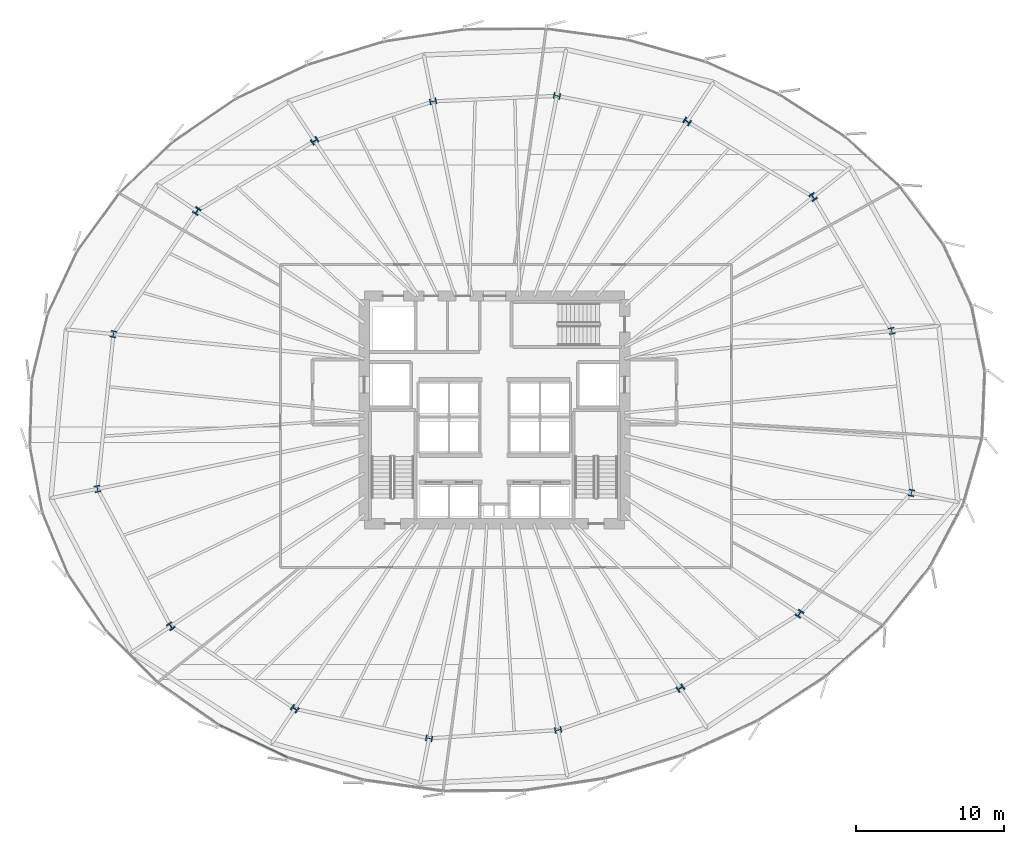
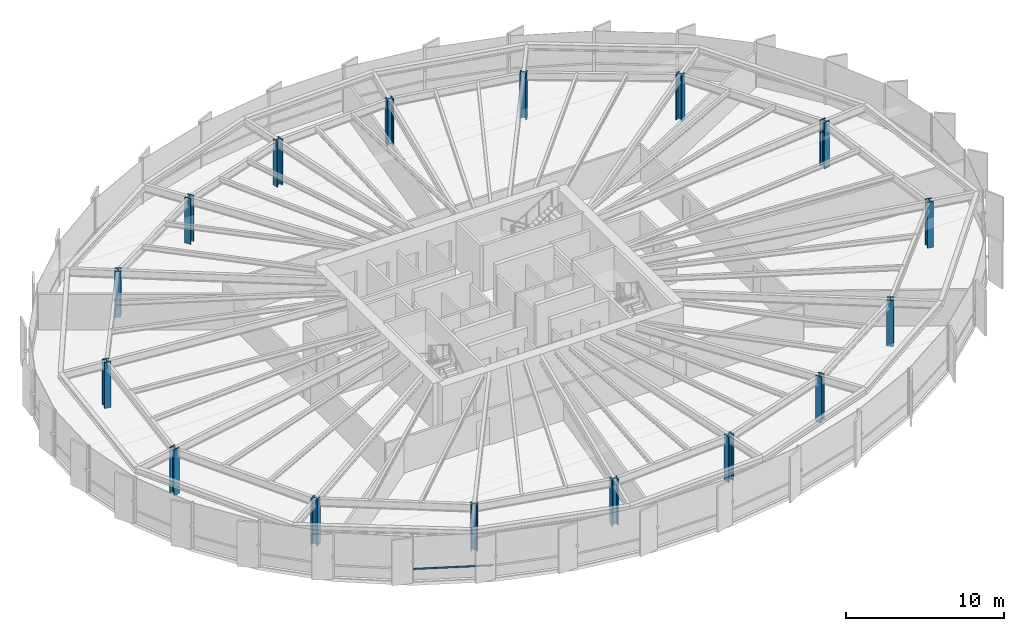
# One storey, part 1 of 37: 16 columns, 1 member, 1 element without a shape of its own.
"""IFC4 building model written with IfcOpenShell, lengths in metres."""

from ifc_helpers import new_model, si_unit, direction, frame, origin, origin_2d, place, context, subcontext, project, spatial, hollow_rectangle, i_section, extrude, source, transform, mapped, material, layer, layer_set, material_profile, profile_set, type_object, element, aggregate, save


model = new_model("IFC4")

# Units and contexts
model_context = context("Model", 3, precision=1e-05, world=origin(), true_north=direction((0.0, 1.0)))
body_context = subcontext(model_context, "Body", "Model", "MODEL_VIEW")
ifc_project = project(units=[si_unit("LENGTHUNIT", "METRE"), si_unit("AREAUNIT", "SQUARE_METRE"), si_unit("VOLUMEUNIT", "CUBIC_METRE"), si_unit("PLANEANGLEUNIT", "RADIAN"), si_unit("MASSUNIT", "GRAM", prefix="KILO"), si_unit("THERMODYNAMICTEMPERATUREUNIT", "KELVIN")], contexts=[model_context])

# Site, building, storey
site_placement = place(None, origin())
site = spatial("IfcSite", under=ifc_project, at=site_placement, CompositionType="ELEMENT")
building_placement = place(site_placement, origin())
building = spatial("IfcBuilding", under=site, at=building_placement, Name="Kethvar Cultural Tower", CompositionType="ELEMENT")
storey_placement = place(building_placement, frame((0.0, 0.0, 48.60009765625)))
storey = spatial("IfcBuildingStorey", under=building, at=storey_placement, Name="L11", CompositionType="ELEMENT", Elevation=48.60009765625)

# Columns
ifc_material_1 = material(Name="Steel S460M", Category="steel")
ifc_material_profile_1 = material_profile(ifc_material_1, i_section(OverallWidth=0.423095703125, OverallDepth=0.468994140625, WebThickness=0.051025390625, FlangeThickness=0.0810546875, FilletRadius=0.014892578125, at=origin_2d()), Name="Steel S460M — HD400x1086")
ifc_profile_set_1 = profile_set([ifc_material_profile_1], Name="Steel S460M — HD400x1086")
column_type = type_object("IfcColumnType", Name="COL-HD1086", PredefinedType="COLUMN", material=ifc_profile_set_1)
shared_shape_1 = source(origin(), body_context, "Body", "SweptSolid", [
    extrude(i_section(OverallWidth=0.423095703125, OverallDepth=0.468994140625, WebThickness=0.051025390625, FlangeThickness=0.0810546875, FilletRadius=0.014892578125, at=origin_2d()), origin(), (0.0, 0.0, 1.0), 3.5498046875),
])
for number, where, z_axis, x_axis, name in (
    (1, (73.65673828125, 33.14208984375, 0.0), (0.0, 0.0, 1.0), (0.980785280403, 0.195090322016, 0.0), "L11 Mega-Column MC-01"),
    (2, (68.33642578125, 42.190185546875, 0.0), (0.0, 0.0, 1.0), (0.831469612303, 0.55557023302, 0.0), "L11 Mega-Column MC-02"),
    (3, (59.824951171875, 47.293212890625, 0.0), (0.0, 0.0, 1.0), (0.55557023302, 0.831469612303, 0.0), "L11 Mega-Column MC-03"),
    (4, (51.022216796875, 49.02587890625, 0.0), (0.0, 0.0, 1.0), (0.195090322016, 0.980785280403, 0.0), "L11 Mega-Column MC-04"),
    (5, (42.651611328125, 48.65576171875, 0.0), (0.0, 0.0, 1.0), (-0.195090322016, 0.980785280403, 0.0), "L11 Mega-Column MC-05"),
    (6, (34.64599609375, 45.98974609375, 0.0), (0.0, 0.0, 1.0), (-0.55557023302, 0.831469612303, 0.0), "L11 Mega-Column MC-06"),
    (7, (26.6845703125, 41.24072265625, 0.0), (0.0, 0.0, 1.0), (-0.831469612303, 0.55557023302, 0.0), "L11 Mega-Column MC-07"),
    (8, (21.047119140625, 32.922607421875, 0.0), (0.0, 0.0, 1.0), (-0.980785280403, 0.195090322016, 0.0), "L11 Mega-Column MC-08"),
    (9, (19.9658203125, 22.46240234375, 0.0), (0.0, 0.0, 1.0), (-0.980785280403, -0.195090322016, 0.0), "L11 Mega-Column MC-09"),
    (10, (24.9248046875, 13.183349609375, 0.0), (0.0, 0.0, 1.0), (-0.831469612303, -0.55557023302, 0.0), "L11 Mega-Column MC-10"),
    (11, (33.302001953125, 7.598876953125, 0.0), (0.0, 0.0, 1.0), (-0.55557023302, -0.831469612303, 0.0), "L11 Mega-Column MC-11"),
    (12, (42.38330078125, 5.59619140625, 0.0), (0.0, 0.0, 1.0), (-0.195090322016, -0.980785280403, 0.0), "L11 Mega-Column MC-12"),
    (13, (51.10400390625, 6.16259765625, 0.0), (0.0, 0.0, 1.0), (0.195090322016, -0.980785280403, 0.0), "L11 Mega-Column MC-13"),
    (14, (59.370361328125, 8.987060546875, 0.0), (0.0, 0.0, 1.0), (0.55557023302, -0.831469612303, 0.0), "L11 Mega-Column MC-14"),
    (15, (67.41845703125, 14.023193359375, 0.0), (0.0, 0.0, 1.0), (0.831469612303, -0.55557023302, 0.0), "L11 Mega-Column MC-15"),
    (16, (74.9912109375, 22.1923828125, 0.0), (0.0, 0.0, 1.0), (0.980785280403, -0.195090322016, 0.0), "L11 Mega-Column MC-16"),
):
    element("IfcColumn", number, at=place(storey_placement, frame(where, z_axis=z_axis, x_axis=x_axis)), inside=storey, type_object=column_type, Name=name, PredefinedType="COLUMN", context=body_context, shape_type="MappedRepresentation", body=[
        mapped(shared_shape_1, transform((0.0, 0.0, 0.0), scale=1.0)),
    ])

# Curtain wall, member
ifc_material_2 = material(Name="Aluminium 6063-T6", Category="aluminium")
ifc_layer = layer(ifc_material_2, 0.179931640625, Name="Aluminium 6063-T6", Category="aluminium")
ifc_layer_set = layer_set([ifc_layer], Name="Aluminium 6063-T6 (180 mm)")
curtain_wall_type = type_object("IfcCurtainWallType", Name="CW-SYS-02-Z1", PredefinedType="NOTDEFINED", material=ifc_layer_set)
curtain_wall_placement = place(storey_placement, origin())
curtain_wall = element("IfcCurtainWall", 17, at=curtain_wall_placement, inside=storey, type_object=curtain_wall_type, Name="L11 Curtain Wall Run 04", PredefinedType="NOTDEFINED")
ifc_material_profile_2 = material_profile(ifc_material_2, hollow_rectangle(XDim=0.054931640625, YDim=0.1201171875, WallThickness=0.00390625, at=origin_2d()), Name="Aluminium 6063-T6 — RHS120x55x4")
ifc_profile_set_2 = profile_set([ifc_material_profile_2], Name="Aluminium 6063-T6 — RHS120x55x4")
member_type = type_object("IfcMemberType", Name="CW-SYS-02-Z1-TRN", PredefinedType="USERDEFINED", material=ifc_profile_set_2)
shared_shape_2 = source(origin(), body_context, "Body", "SweptSolid", [
    extrude(hollow_rectangle(XDim=0.054931640625, YDim=0.1201171875, WallThickness=0.00390625, at=origin_2d()), origin(), (0.0, 0.0, 1.0), 5.109375),
])
member_placement = place(storey_placement, frame((28.2001953125, 6.510498046875, 0.949951171875), z_axis=(0.903669720644, -0.428230120369, 0.0), x_axis=(0.428230120369, 0.903669720644, 0.0)))
member = element("IfcMember", 18, at=member_placement, type_object=member_type, Name="CW-L11-R04 Transom 6", ObjectType="TRANSOM", PredefinedType="USERDEFINED", context=body_context, shape_type="MappedRepresentation", body=[
    mapped(shared_shape_2, transform((0.0, 0.0, 0.0), scale=1.0)),
])
aggregate(curtain_wall, [member])

save(model, "model.ifc")
